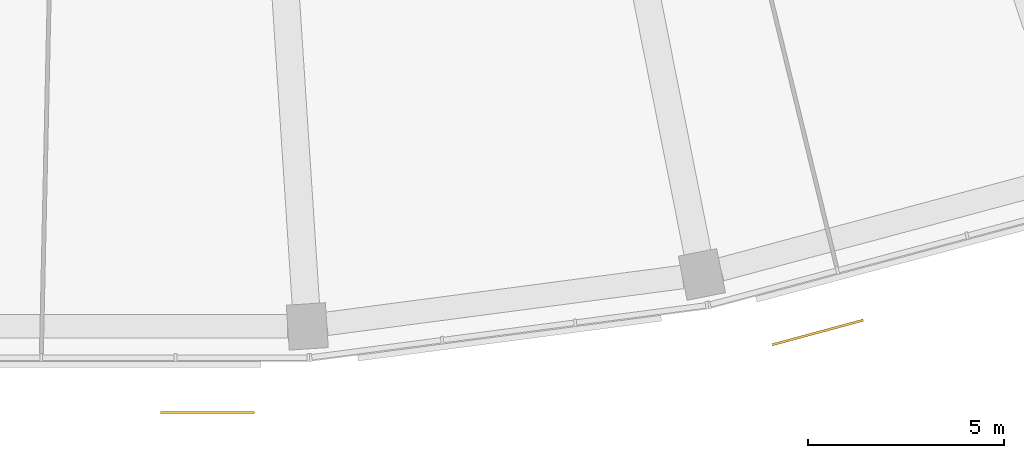
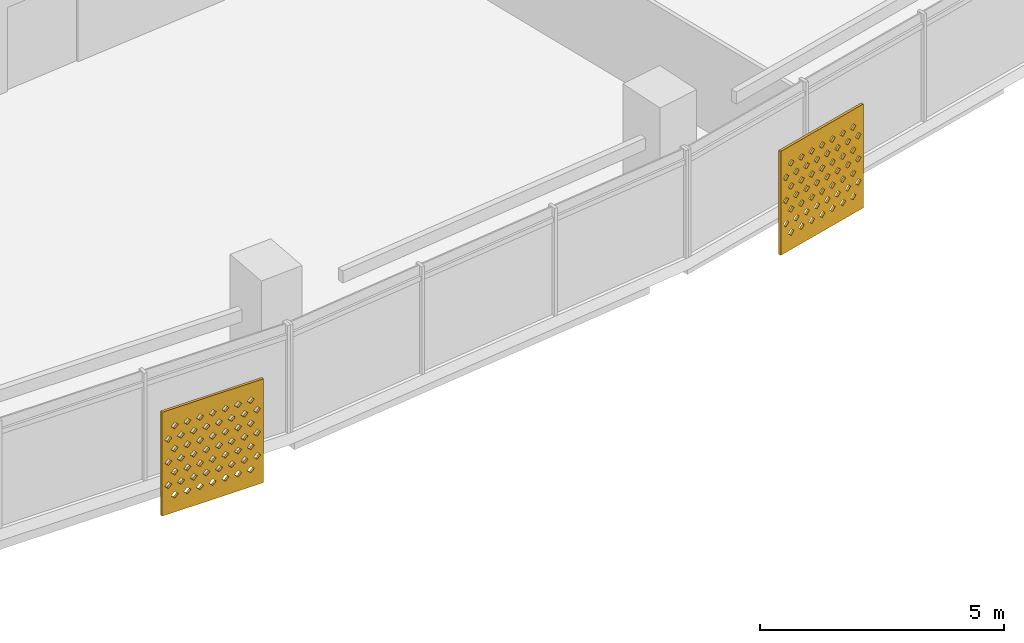
# One storey, part 25 of 27: 2 shading devices.
"""IFC4 building model written with IfcOpenShell, lengths in metres."""

import ifcopenshell
import ifcopenshell.guid

model = None  # the IFC model being written
_history = None  # IfcOwnerHistory: only IFC2X3 demands one
_inside = {}  # id of a spatial element -> (the spatial element, [elements in it])
_under = {}  # id of a project, library or spatial element -> (it, [spatial elements below it])
_declared = {}  # id of a project -> (the project, [libraries it declares])
_typed = {}  # id of a type object -> (the type object, [elements of that type])
_made_of = {}  # id of a material, layer set ... -> (it, [elements and type objects made of it])


def new_model(schema):
    """Start an empty IFC model of exactly this schema.

    Asked for "IFC4X3", IfcOpenShell would pick the latest addendum, in which some entities
    have other attributes; the version numbers below select the first issue.
    IFC2X3 requires an IfcOwnerHistory on every rooted entity: one is made here for all.
    """
    global model, _history
    if schema == "IFC4X3":
        model = ifcopenshell.file(schema_version=(4, 3, 0, 0))
    else:
        model = ifcopenshell.file(schema=schema)
    _inside.clear()
    _under.clear()
    _declared.clear()
    _typed.clear()
    _made_of.clear()
    _history = None
    if model.schema == "IFC2X3":
        org = make("IfcOrganization", Name="unknown")
        user = make(
            "IfcPersonAndOrganization",
            ThePerson=make("IfcPerson", FamilyName="unknown"),
            TheOrganization=org,
        )
        app = make(
            "IfcApplication",
            ApplicationDeveloper=org,
            Version="unknown",
            ApplicationFullName="unknown",
            ApplicationIdentifier="unknown",
        )
        _history = make(
            "IfcOwnerHistory",
            OwningUser=user,
            OwningApplication=app,
            ChangeAction="ADDED",
            CreationDate=0,
        )
    return model


def make(cls, **values):
    """One entity of the class cls with the attributes given. An attribute that is None is left unset."""
    return model.create_entity(
        cls, **{name: value for name, value in values.items() if value is not None}
    )


def rooted(cls, **values):
    """An entity with a GlobalId (a new one), such as an element, a storey or a relation."""
    return make(cls, GlobalId=ifcopenshell.guid.new(), OwnerHistory=_history, **values)


def si_unit(unit_type, name, prefix=None):
    """IfcSIUnit, for example si_unit("LENGTHUNIT", "METRE", prefix="MILLI")."""
    return make("IfcSIUnit", UnitType=unit_type, Prefix=prefix, Name=name)


def assignment(units):
    """IfcUnitAssignment: the units of a project."""
    return None if units is None else make("IfcUnitAssignment", Units=units)


def point(xyz):
    """IfcCartesianPoint."""
    return None if xyz is None else make("IfcCartesianPoint", Coordinates=xyz)


def direction(xyz):
    """IfcDirection."""
    return None if xyz is None else make("IfcDirection", DirectionRatios=xyz)


def frame(location, z_axis=None, x_axis=None):
    """IfcAxis2Placement3D, a coordinate frame: its origin and axes. An axis left out is left unset."""
    return make(
        "IfcAxis2Placement3D",
        Location=point(location),
        Axis=direction(z_axis),
        RefDirection=direction(x_axis),
    )


def origin():
    """The frame at (0, 0, 0) with its axes left unset."""
    return frame((0.0, 0.0, 0.0))


def place(relative_to, where):
    """IfcLocalPlacement: puts the frame where relative to a parent placement (None: the world)."""
    return make(
        "IfcLocalPlacement", PlacementRelTo=relative_to, RelativePlacement=where
    )


def context(
    kind, dimensions, precision=None, world=None, true_north=None, identifier=None
):
    """IfcGeometricRepresentationContext, for example the 3D "Model" context."""
    return make(
        "IfcGeometricRepresentationContext",
        ContextIdentifier=identifier,
        ContextType=kind,
        CoordinateSpaceDimension=dimensions,
        Precision=precision,
        WorldCoordinateSystem=world,
        TrueNorth=true_north,
    )


def subcontext(parent, identifier, kind, view, scale=None):
    """IfcGeometricRepresentationSubContext, for example "Body" below "Model"."""
    return make(
        "IfcGeometricRepresentationSubContext",
        ContextIdentifier=identifier,
        ContextType=kind,
        ParentContext=parent,
        TargetScale=scale,
        TargetView=view,
    )


def project(units=None, contexts=None):
    """IfcProject with its units and contexts."""
    return rooted(
        "IfcProject",
        Name="project",
        RepresentationContexts=contexts,
        UnitsInContext=assignment(units),
    )


def spatial(cls, under=None, at=None, **own):
    """A site, building, storey or space (cls), placed at a placement, below another one or the project."""
    s = rooted(cls, ObjectPlacement=at, **own)
    if under is not None:
        _under.setdefault(under.id(), (under, []))[1].append(s)
    return s


def polyline(points):
    """IfcPolyline through the points."""
    return make("IfcPolyline", Points=[point(p) for p in points])


def outline(outer, holes=None, kind="AREA"):
    """IfcArbitraryClosedProfileDef: a profile drawn as a closed curve; with holes, ...WithVoids."""
    if holes is None:
        return make("IfcArbitraryClosedProfileDef", ProfileType=kind, OuterCurve=outer)
    return make(
        "IfcArbitraryProfileDefWithVoids",
        ProfileType=kind,
        OuterCurve=outer,
        InnerCurves=holes,
    )


def extrude(swept, where, along, depth):
    """IfcExtrudedAreaSolid: the profile swept, set in the frame where, extruded along a direction by depth."""
    return make(
        "IfcExtrudedAreaSolid",
        SweptArea=swept,
        Position=where,
        ExtrudedDirection=direction(along),
        Depth=depth,
    )


def shape(context_of_items, identifier, shape_type, items):
    """IfcShapeRepresentation: the items that make up one representation, for example the "Body"."""
    return make(
        "IfcShapeRepresentation",
        ContextOfItems=context_of_items,
        RepresentationIdentifier=identifier,
        RepresentationType=shape_type,
        Items=items,
    )


def material(Name=None, Category=None):
    """IfcMaterial."""
    return make("IfcMaterial", Name=Name, Category=Category)


def material_profile(
    of_material, cross_section, Name=None, Category=None, Priority=None
):
    """IfcMaterialProfile: a cross section and its material."""
    return make(
        "IfcMaterialProfile",
        Name=Name,
        Material=of_material,
        Profile=cross_section,
        Priority=Priority,
        Category=Category,
    )


def profile_set(profiles, Name=None, composite=None):
    """IfcMaterialProfileSet."""
    return make(
        "IfcMaterialProfileSet",
        Name=Name,
        MaterialProfiles=profiles,
        CompositeProfile=composite,
    )


def made_of(thing, what):
    """Note that an element or type object is made of a material, layer set ...; save() writes the relation."""
    if what is not None:
        _made_of.setdefault(what.id(), (what, []))[1].append(thing)
    return thing


def type_object(cls, material=None, **own):
    """A type object (cls), such as IfcWallType, which elements share."""
    return made_of(rooted(cls, **own), material)


def element(
    cls,
    number,
    at=None,
    inside=None,
    cuts=None,
    type_object=None,
    material=None,
    context=None,
    identifier="Body",
    shape_type=None,
    held_by="IfcProductDefinitionShape",
    body=None,
    shapes=None,
    **own,
):
    """One element of the class cls, such as IfcWall. Its Tag is "e" and its number.

    at: its placement. inside: the storey or other place that contains it. cuts: it is an
    opening in that element (IfcRelVoidsElement). A single representation is given by context,
    identifier, shape_type and body (its items); several are given by shapes. held_by: the class
    of the entity that holds the representations. save() writes the other relations.
    """
    e = rooted(cls, Tag="e%d" % number, ObjectPlacement=at, **own)
    if body is not None:
        shapes = [shape(context, identifier, shape_type, body)]
    if shapes is not None:
        e.Representation = make(held_by, Representations=shapes)
    if inside is not None:
        _inside.setdefault(inside.id(), (inside, []))[1].append(e)
    if cuts is not None:
        rooted(
            "IfcRelVoidsElement", RelatingBuildingElement=cuts, RelatedOpeningElement=e
        )
    if type_object is not None:
        _typed.setdefault(type_object.id(), (type_object, []))[1].append(e)
    return made_of(e, material)


def aggregate(whole, parts):
    """IfcRelAggregates: a whole, such as a stair, and the parts it consists of."""
    return rooted("IfcRelAggregates", RelatingObject=whole, RelatedObjects=parts)


def save(model, path):
    """Write the relations noted so far, then the file.

    IfcRelAggregates (storeys below a building ...), IfcRelContainedInSpatialStructure (elements
    in a storey), IfcRelDefinesByType, IfcRelAssociatesMaterial and IfcRelDeclares: one each for
    every whole, place, type object, material and project.
    """
    for whole, parts in _under.values():
        aggregate(whole, parts)
    for where, things in _inside.values():
        rooted(
            "IfcRelContainedInSpatialStructure",
            RelatedElements=things,
            RelatingStructure=where,
        )
    for kind, things in _typed.values():
        rooted("IfcRelDefinesByType", RelatedObjects=things, RelatingType=kind)
    for what, things in _made_of.values():
        rooted("IfcRelAssociatesMaterial", RelatedObjects=things, RelatingMaterial=what)
    for by, libraries in _declared.values():
        rooted("IfcRelDeclares", RelatingContext=by, RelatedDefinitions=libraries)
    model.write(path)


model = new_model("IFC4")

# Units and contexts
model_context = context("Model", 3, precision=1e-05, world=origin(), true_north=direction((0.0, 1.0)))
body_context = subcontext(model_context, "Body", "Model", "MODEL_VIEW")
ifc_project = project(units=[si_unit("LENGTHUNIT", "METRE"), si_unit("AREAUNIT", "SQUARE_METRE"), si_unit("VOLUMEUNIT", "CUBIC_METRE"), si_unit("PLANEANGLEUNIT", "RADIAN"), si_unit("MASSUNIT", "GRAM", prefix="KILO")], contexts=[model_context])

# Site, building, storey
site_placement = place(None, origin())
site = spatial("IfcSite", under=ifc_project, at=site_placement, CompositionType="ELEMENT")
building_placement = place(site_placement, origin())
building = spatial("IfcBuilding", under=site, at=building_placement, Name="Qamariyya Broadcast Tower", CompositionType="ELEMENT")
storey_placement = place(building_placement, frame((0.0, 0.0, 237.89990234375)))
storey = spatial("IfcBuildingStorey", under=building, at=storey_placement, Name="L57", CompositionType="ELEMENT", Elevation=237.89990234375)

# Shading devices
ifc_material = material(Name="Perforated glazed terracotta", Category="masonry")
ifc_material_profile = material_profile(ifc_material, outline(polyline([(-1.199951171875, -1.300048828125), (1.199951171875, -1.300048828125), (1.199951171875, 1.300048828125), (-1.199951171875, 1.300048828125), (-1.199951171875, -1.300048828125)]), holes=[polyline([(-0.81494140625, -0.86669921875), (-0.89990234375, -0.78173828125), (-0.985107421875, -0.86669921875), (-0.89990234375, -0.95166015625), (-0.81494140625, -0.86669921875)]), polyline([(-0.514892578125, -0.86669921875), (-0.60009765625, -0.78173828125), (-0.68505859375, -0.86669921875), (-0.60009765625, -0.95166015625), (-0.514892578125, -0.86669921875)]), polyline([(-0.215087890625, -0.86669921875), (-0.300048828125, -0.78173828125), (-0.385009765625, -0.86669921875), (-0.300048828125, -0.95166015625), (-0.215087890625, -0.86669921875)]), polyline([(0.0849609375, -0.86669921875), (0.0, -0.78173828125), (-0.0849609375, -0.86669921875), (0.0, -0.95166015625), (0.0849609375, -0.86669921875)]), polyline([(0.385009765625, -0.86669921875), (0.300048828125, -0.78173828125), (0.215087890625, -0.86669921875), (0.300048828125, -0.95166015625), (0.385009765625, -0.86669921875)]), polyline([(0.68505859375, -0.86669921875), (0.60009765625, -0.78173828125), (0.514892578125, -0.86669921875), (0.60009765625, -0.95166015625), (0.68505859375, -0.86669921875)]), polyline([(0.985107421875, -0.86669921875), (0.89990234375, -0.78173828125), (0.81494140625, -0.86669921875), (0.89990234375, -0.95166015625), (0.985107421875, -0.86669921875)]), polyline([(-0.965087890625, -0.577880859375), (-1.050048828125, -0.49267578125), (-1.135009765625, -0.577880859375), (-1.050048828125, -0.662841796875), (-0.965087890625, -0.577880859375)]), polyline([(-0.6650390625, -0.577880859375), (-0.75, -0.49267578125), (-0.8349609375, -0.577880859375), (-0.75, -0.662841796875), (-0.6650390625, -0.577880859375)]), polyline([(-0.364990234375, -0.577880859375), (-0.449951171875, -0.49267578125), (-0.534912109375, -0.577880859375), (-0.449951171875, -0.662841796875), (-0.364990234375, -0.577880859375)]), polyline([(-0.06494140625, -0.577880859375), (-0.14990234375, -0.49267578125), (-0.235107421875, -0.577880859375), (-0.14990234375, -0.662841796875), (-0.06494140625, -0.577880859375)]), polyline([(0.235107421875, -0.577880859375), (0.14990234375, -0.49267578125), (0.06494140625, -0.577880859375), (0.14990234375, -0.662841796875), (0.235107421875, -0.577880859375)]), polyline([(0.534912109375, -0.577880859375), (0.449951171875, -0.49267578125), (0.364990234375, -0.577880859375), (0.449951171875, -0.662841796875), (0.534912109375, -0.577880859375)]), polyline([(0.8349609375, -0.577880859375), (0.75, -0.49267578125), (0.6650390625, -0.577880859375), (0.75, -0.662841796875), (0.8349609375, -0.577880859375)]), polyline([(1.135009765625, -0.577880859375), (1.050048828125, -0.49267578125), (0.965087890625, -0.577880859375), (1.050048828125, -0.662841796875), (1.135009765625, -0.577880859375)]), polyline([(-0.81494140625, -0.288818359375), (-0.89990234375, -0.203857421875), (-0.985107421875, -0.288818359375), (-0.89990234375, -0.373779296875), (-0.81494140625, -0.288818359375)]), polyline([(-0.514892578125, -0.288818359375), (-0.60009765625, -0.203857421875), (-0.68505859375, -0.288818359375), (-0.60009765625, -0.373779296875), (-0.514892578125, -0.288818359375)]), polyline([(-0.215087890625, -0.288818359375), (-0.300048828125, -0.203857421875), (-0.385009765625, -0.288818359375), (-0.300048828125, -0.373779296875), (-0.215087890625, -0.288818359375)]), polyline([(0.0849609375, -0.288818359375), (0.0, -0.203857421875), (-0.0849609375, -0.288818359375), (0.0, -0.373779296875), (0.0849609375, -0.288818359375)]), polyline([(0.385009765625, -0.288818359375), (0.300048828125, -0.203857421875), (0.215087890625, -0.288818359375), (0.300048828125, -0.373779296875), (0.385009765625, -0.288818359375)]), polyline([(0.68505859375, -0.288818359375), (0.60009765625, -0.203857421875), (0.514892578125, -0.288818359375), (0.60009765625, -0.373779296875), (0.68505859375, -0.288818359375)]), polyline([(0.985107421875, -0.288818359375), (0.89990234375, -0.203857421875), (0.81494140625, -0.288818359375), (0.89990234375, -0.373779296875), (0.985107421875, -0.288818359375)]), polyline([(-0.965087890625, 0.0), (-1.050048828125, 0.0849609375), (-1.135009765625, 0.0), (-1.050048828125, -0.0849609375), (-0.965087890625, 0.0)]), polyline([(-0.6650390625, 0.0), (-0.75, 0.0849609375), (-0.8349609375, 0.0), (-0.75, -0.0849609375), (-0.6650390625, 0.0)]), polyline([(-0.364990234375, 0.0), (-0.449951171875, 0.0849609375), (-0.534912109375, 0.0), (-0.449951171875, -0.0849609375), (-0.364990234375, 0.0)]), polyline([(-0.06494140625, 0.0), (-0.14990234375, 0.0849609375), (-0.235107421875, 0.0), (-0.14990234375, -0.0849609375), (-0.06494140625, 0.0)]), polyline([(0.235107421875, 0.0), (0.14990234375, 0.0849609375), (0.06494140625, 0.0), (0.14990234375, -0.0849609375), (0.235107421875, 0.0)]), polyline([(0.534912109375, 0.0), (0.449951171875, 0.0849609375), (0.364990234375, 0.0), (0.449951171875, -0.0849609375), (0.534912109375, 0.0)]), polyline([(0.8349609375, 0.0), (0.75, 0.0849609375), (0.6650390625, 0.0), (0.75, -0.0849609375), (0.8349609375, 0.0)]), polyline([(1.135009765625, 0.0), (1.050048828125, 0.0849609375), (0.965087890625, 0.0), (1.050048828125, -0.0849609375), (1.135009765625, 0.0)]), polyline([(-0.81494140625, 0.288818359375), (-0.89990234375, 0.373779296875), (-0.985107421875, 0.288818359375), (-0.89990234375, 0.203857421875), (-0.81494140625, 0.288818359375)]), polyline([(-0.514892578125, 0.288818359375), (-0.60009765625, 0.373779296875), (-0.68505859375, 0.288818359375), (-0.60009765625, 0.203857421875), (-0.514892578125, 0.288818359375)]), polyline([(-0.215087890625, 0.288818359375), (-0.300048828125, 0.373779296875), (-0.385009765625, 0.288818359375), (-0.300048828125, 0.203857421875), (-0.215087890625, 0.288818359375)]), polyline([(0.0849609375, 0.288818359375), (0.0, 0.373779296875), (-0.0849609375, 0.288818359375), (0.0, 0.203857421875), (0.0849609375, 0.288818359375)]), polyline([(0.385009765625, 0.288818359375), (0.300048828125, 0.373779296875), (0.215087890625, 0.288818359375), (0.300048828125, 0.203857421875), (0.385009765625, 0.288818359375)]), polyline([(0.68505859375, 0.288818359375), (0.60009765625, 0.373779296875), (0.514892578125, 0.288818359375), (0.60009765625, 0.203857421875), (0.68505859375, 0.288818359375)]), polyline([(0.985107421875, 0.288818359375), (0.89990234375, 0.373779296875), (0.81494140625, 0.288818359375), (0.89990234375, 0.203857421875), (0.985107421875, 0.288818359375)]), polyline([(-0.965087890625, 0.577880859375), (-1.050048828125, 0.662841796875), (-1.135009765625, 0.577880859375), (-1.050048828125, 0.49267578125), (-0.965087890625, 0.577880859375)]), polyline([(-0.6650390625, 0.577880859375), (-0.75, 0.662841796875), (-0.8349609375, 0.577880859375), (-0.75, 0.49267578125), (-0.6650390625, 0.577880859375)]), polyline([(-0.364990234375, 0.577880859375), (-0.449951171875, 0.662841796875), (-0.534912109375, 0.577880859375), (-0.449951171875, 0.49267578125), (-0.364990234375, 0.577880859375)]), polyline([(-0.06494140625, 0.577880859375), (-0.14990234375, 0.662841796875), (-0.235107421875, 0.577880859375), (-0.14990234375, 0.49267578125), (-0.06494140625, 0.577880859375)]), polyline([(0.235107421875, 0.577880859375), (0.14990234375, 0.662841796875), (0.06494140625, 0.577880859375), (0.14990234375, 0.49267578125), (0.235107421875, 0.577880859375)]), polyline([(0.534912109375, 0.577880859375), (0.449951171875, 0.662841796875), (0.364990234375, 0.577880859375), (0.449951171875, 0.49267578125), (0.534912109375, 0.577880859375)]), polyline([(0.8349609375, 0.577880859375), (0.75, 0.662841796875), (0.6650390625, 0.577880859375), (0.75, 0.49267578125), (0.8349609375, 0.577880859375)]), polyline([(1.135009765625, 0.577880859375), (1.050048828125, 0.662841796875), (0.965087890625, 0.577880859375), (1.050048828125, 0.49267578125), (1.135009765625, 0.577880859375)]), polyline([(-0.81494140625, 0.86669921875), (-0.89990234375, 0.95166015625), (-0.985107421875, 0.86669921875), (-0.89990234375, 0.78173828125), (-0.81494140625, 0.86669921875)]), polyline([(-0.514892578125, 0.86669921875), (-0.60009765625, 0.95166015625), (-0.68505859375, 0.86669921875), (-0.60009765625, 0.78173828125), (-0.514892578125, 0.86669921875)]), polyline([(-0.215087890625, 0.86669921875), (-0.300048828125, 0.95166015625), (-0.385009765625, 0.86669921875), (-0.300048828125, 0.78173828125), (-0.215087890625, 0.86669921875)]), polyline([(0.0849609375, 0.86669921875), (0.0, 0.95166015625), (-0.0849609375, 0.86669921875), (0.0, 0.78173828125), (0.0849609375, 0.86669921875)]), polyline([(0.385009765625, 0.86669921875), (0.300048828125, 0.95166015625), (0.215087890625, 0.86669921875), (0.300048828125, 0.78173828125), (0.385009765625, 0.86669921875)]), polyline([(0.68505859375, 0.86669921875), (0.60009765625, 0.95166015625), (0.514892578125, 0.86669921875), (0.60009765625, 0.78173828125), (0.68505859375, 0.86669921875)]), polyline([(0.985107421875, 0.86669921875), (0.89990234375, 0.95166015625), (0.81494140625, 0.86669921875), (0.89990234375, 0.78173828125), (0.985107421875, 0.86669921875)])]))
ifc_profile_set = profile_set([ifc_material_profile], Name="Perforated glazed terracotta")
shading_device_type = type_object("IfcShadingDeviceType", Name="Perforated terracotta screen 2400 x 2600", PredefinedType="USERDEFINED", material=ifc_profile_set)
shading_device_1_placement = place(storey_placement, frame((2.535888671875, -79.751708984375, 1.35009765625), z_axis=(0.0, -1.0, 0.0), x_axis=(1.0, 0.0, 0.0)))
element("IfcShadingDevice", 1, at=shading_device_1_placement, inside=storey, type_object=shading_device_type, Name="e-scr-L57-08-2", ObjectType="SCREEN", PredefinedType="USERDEFINED", context=body_context, shape_type="SweptSolid", body=[
    extrude(outline(polyline([(-1.199951171875, -1.300048828125), (1.199951171875, -1.300048828125), (1.199951171875, 1.300048828125), (-1.199951171875, 1.300048828125), (-1.199951171875, -1.300048828125)]), holes=[polyline([(-0.81494140625, -0.86669921875), (-0.89990234375, -0.78173828125), (-0.985107421875, -0.86669921875), (-0.89990234375, -0.95166015625), (-0.81494140625, -0.86669921875)]), polyline([(-0.514892578125, -0.86669921875), (-0.60009765625, -0.78173828125), (-0.68505859375, -0.86669921875), (-0.60009765625, -0.95166015625), (-0.514892578125, -0.86669921875)]), polyline([(-0.215087890625, -0.86669921875), (-0.300048828125, -0.78173828125), (-0.385009765625, -0.86669921875), (-0.300048828125, -0.95166015625), (-0.215087890625, -0.86669921875)]), polyline([(0.0849609375, -0.86669921875), (0.0, -0.78173828125), (-0.0849609375, -0.86669921875), (0.0, -0.95166015625), (0.0849609375, -0.86669921875)]), polyline([(0.385009765625, -0.86669921875), (0.300048828125, -0.78173828125), (0.215087890625, -0.86669921875), (0.300048828125, -0.95166015625), (0.385009765625, -0.86669921875)]), polyline([(0.68505859375, -0.86669921875), (0.60009765625, -0.78173828125), (0.514892578125, -0.86669921875), (0.60009765625, -0.95166015625), (0.68505859375, -0.86669921875)]), polyline([(0.985107421875, -0.86669921875), (0.89990234375, -0.78173828125), (0.81494140625, -0.86669921875), (0.89990234375, -0.95166015625), (0.985107421875, -0.86669921875)]), polyline([(-0.965087890625, -0.577880859375), (-1.050048828125, -0.49267578125), (-1.135009765625, -0.577880859375), (-1.050048828125, -0.662841796875), (-0.965087890625, -0.577880859375)]), polyline([(-0.6650390625, -0.577880859375), (-0.75, -0.49267578125), (-0.8349609375, -0.577880859375), (-0.75, -0.662841796875), (-0.6650390625, -0.577880859375)]), polyline([(-0.364990234375, -0.577880859375), (-0.449951171875, -0.49267578125), (-0.534912109375, -0.577880859375), (-0.449951171875, -0.662841796875), (-0.364990234375, -0.577880859375)]), polyline([(-0.06494140625, -0.577880859375), (-0.14990234375, -0.49267578125), (-0.235107421875, -0.577880859375), (-0.14990234375, -0.662841796875), (-0.06494140625, -0.577880859375)]), polyline([(0.235107421875, -0.577880859375), (0.14990234375, -0.49267578125), (0.06494140625, -0.577880859375), (0.14990234375, -0.662841796875), (0.235107421875, -0.577880859375)]), polyline([(0.534912109375, -0.577880859375), (0.449951171875, -0.49267578125), (0.364990234375, -0.577880859375), (0.449951171875, -0.662841796875), (0.534912109375, -0.577880859375)]), polyline([(0.8349609375, -0.577880859375), (0.75, -0.49267578125), (0.6650390625, -0.577880859375), (0.75, -0.662841796875), (0.8349609375, -0.577880859375)]), polyline([(1.135009765625, -0.577880859375), (1.050048828125, -0.49267578125), (0.965087890625, -0.577880859375), (1.050048828125, -0.662841796875), (1.135009765625, -0.577880859375)]), polyline([(-0.81494140625, -0.288818359375), (-0.89990234375, -0.203857421875), (-0.985107421875, -0.288818359375), (-0.89990234375, -0.373779296875), (-0.81494140625, -0.288818359375)]), polyline([(-0.514892578125, -0.288818359375), (-0.60009765625, -0.203857421875), (-0.68505859375, -0.288818359375), (-0.60009765625, -0.373779296875), (-0.514892578125, -0.288818359375)]), polyline([(-0.215087890625, -0.288818359375), (-0.300048828125, -0.203857421875), (-0.385009765625, -0.288818359375), (-0.300048828125, -0.373779296875), (-0.215087890625, -0.288818359375)]), polyline([(0.0849609375, -0.288818359375), (0.0, -0.203857421875), (-0.0849609375, -0.288818359375), (0.0, -0.373779296875), (0.0849609375, -0.288818359375)]), polyline([(0.385009765625, -0.288818359375), (0.300048828125, -0.203857421875), (0.215087890625, -0.288818359375), (0.300048828125, -0.373779296875), (0.385009765625, -0.288818359375)]), polyline([(0.68505859375, -0.288818359375), (0.60009765625, -0.203857421875), (0.514892578125, -0.288818359375), (0.60009765625, -0.373779296875), (0.68505859375, -0.288818359375)]), polyline([(0.985107421875, -0.288818359375), (0.89990234375, -0.203857421875), (0.81494140625, -0.288818359375), (0.89990234375, -0.373779296875), (0.985107421875, -0.288818359375)]), polyline([(-0.965087890625, 0.0), (-1.050048828125, 0.0849609375), (-1.135009765625, 0.0), (-1.050048828125, -0.0849609375), (-0.965087890625, 0.0)]), polyline([(-0.6650390625, 0.0), (-0.75, 0.0849609375), (-0.8349609375, 0.0), (-0.75, -0.0849609375), (-0.6650390625, 0.0)]), polyline([(-0.364990234375, 0.0), (-0.449951171875, 0.0849609375), (-0.534912109375, 0.0), (-0.449951171875, -0.0849609375), (-0.364990234375, 0.0)]), polyline([(-0.06494140625, 0.0), (-0.14990234375, 0.0849609375), (-0.235107421875, 0.0), (-0.14990234375, -0.0849609375), (-0.06494140625, 0.0)]), polyline([(0.235107421875, 0.0), (0.14990234375, 0.0849609375), (0.06494140625, 0.0), (0.14990234375, -0.0849609375), (0.235107421875, 0.0)]), polyline([(0.534912109375, 0.0), (0.449951171875, 0.0849609375), (0.364990234375, 0.0), (0.449951171875, -0.0849609375), (0.534912109375, 0.0)]), polyline([(0.8349609375, 0.0), (0.75, 0.0849609375), (0.6650390625, 0.0), (0.75, -0.0849609375), (0.8349609375, 0.0)]), polyline([(1.135009765625, 0.0), (1.050048828125, 0.0849609375), (0.965087890625, 0.0), (1.050048828125, -0.0849609375), (1.135009765625, 0.0)]), polyline([(-0.81494140625, 0.288818359375), (-0.89990234375, 0.373779296875), (-0.985107421875, 0.288818359375), (-0.89990234375, 0.203857421875), (-0.81494140625, 0.288818359375)]), polyline([(-0.514892578125, 0.288818359375), (-0.60009765625, 0.373779296875), (-0.68505859375, 0.288818359375), (-0.60009765625, 0.203857421875), (-0.514892578125, 0.288818359375)]), polyline([(-0.215087890625, 0.288818359375), (-0.300048828125, 0.373779296875), (-0.385009765625, 0.288818359375), (-0.300048828125, 0.203857421875), (-0.215087890625, 0.288818359375)]), polyline([(0.0849609375, 0.288818359375), (0.0, 0.373779296875), (-0.0849609375, 0.288818359375), (0.0, 0.203857421875), (0.0849609375, 0.288818359375)]), polyline([(0.385009765625, 0.288818359375), (0.300048828125, 0.373779296875), (0.215087890625, 0.288818359375), (0.300048828125, 0.203857421875), (0.385009765625, 0.288818359375)]), polyline([(0.68505859375, 0.288818359375), (0.60009765625, 0.373779296875), (0.514892578125, 0.288818359375), (0.60009765625, 0.203857421875), (0.68505859375, 0.288818359375)]), polyline([(0.985107421875, 0.288818359375), (0.89990234375, 0.373779296875), (0.81494140625, 0.288818359375), (0.89990234375, 0.203857421875), (0.985107421875, 0.288818359375)]), polyline([(-0.965087890625, 0.577880859375), (-1.050048828125, 0.662841796875), (-1.135009765625, 0.577880859375), (-1.050048828125, 0.49267578125), (-0.965087890625, 0.577880859375)]), polyline([(-0.6650390625, 0.577880859375), (-0.75, 0.662841796875), (-0.8349609375, 0.577880859375), (-0.75, 0.49267578125), (-0.6650390625, 0.577880859375)]), polyline([(-0.364990234375, 0.577880859375), (-0.449951171875, 0.662841796875), (-0.534912109375, 0.577880859375), (-0.449951171875, 0.49267578125), (-0.364990234375, 0.577880859375)]), polyline([(-0.06494140625, 0.577880859375), (-0.14990234375, 0.662841796875), (-0.235107421875, 0.577880859375), (-0.14990234375, 0.49267578125), (-0.06494140625, 0.577880859375)]), polyline([(0.235107421875, 0.577880859375), (0.14990234375, 0.662841796875), (0.06494140625, 0.577880859375), (0.14990234375, 0.49267578125), (0.235107421875, 0.577880859375)]), polyline([(0.534912109375, 0.577880859375), (0.449951171875, 0.662841796875), (0.364990234375, 0.577880859375), (0.449951171875, 0.49267578125), (0.534912109375, 0.577880859375)]), polyline([(0.8349609375, 0.577880859375), (0.75, 0.662841796875), (0.6650390625, 0.577880859375), (0.75, 0.49267578125), (0.8349609375, 0.577880859375)]), polyline([(1.135009765625, 0.577880859375), (1.050048828125, 0.662841796875), (0.965087890625, 0.577880859375), (1.050048828125, 0.49267578125), (1.135009765625, 0.577880859375)]), polyline([(-0.81494140625, 0.86669921875), (-0.89990234375, 0.95166015625), (-0.985107421875, 0.86669921875), (-0.89990234375, 0.78173828125), (-0.81494140625, 0.86669921875)]), polyline([(-0.514892578125, 0.86669921875), (-0.60009765625, 0.95166015625), (-0.68505859375, 0.86669921875), (-0.60009765625, 0.78173828125), (-0.514892578125, 0.86669921875)]), polyline([(-0.215087890625, 0.86669921875), (-0.300048828125, 0.95166015625), (-0.385009765625, 0.86669921875), (-0.300048828125, 0.78173828125), (-0.215087890625, 0.86669921875)]), polyline([(0.0849609375, 0.86669921875), (0.0, 0.95166015625), (-0.0849609375, 0.86669921875), (0.0, 0.78173828125), (0.0849609375, 0.86669921875)]), polyline([(0.385009765625, 0.86669921875), (0.300048828125, 0.95166015625), (0.215087890625, 0.86669921875), (0.300048828125, 0.78173828125), (0.385009765625, 0.86669921875)]), polyline([(0.68505859375, 0.86669921875), (0.60009765625, 0.95166015625), (0.514892578125, 0.86669921875), (0.60009765625, 0.78173828125), (0.68505859375, 0.86669921875)]), polyline([(0.985107421875, 0.86669921875), (0.89990234375, 0.95166015625), (0.81494140625, 0.86669921875), (0.89990234375, 0.78173828125), (0.985107421875, 0.86669921875)])]), origin(), (0.0, 0.0, 1.0), 0.059814453125),
])
shading_device_2_placement = place(storey_placement, frame((18.1220703125, -77.709228515625, 1.35009765625), z_axis=(0.260703819255, -0.965418830677, 0.0), x_axis=(0.965418830677, 0.260703819255, 0.0)))
element("IfcShadingDevice", 2, at=shading_device_2_placement, inside=storey, type_object=shading_device_type, Name="e-scr-L57-10-0", ObjectType="SCREEN", PredefinedType="USERDEFINED", context=body_context, shape_type="SweptSolid", body=[
    extrude(outline(polyline([(-1.199951171875, -1.300048828125), (1.199951171875, -1.300048828125), (1.199951171875, 1.300048828125), (-1.199951171875, 1.300048828125), (-1.199951171875, -1.300048828125)]), holes=[polyline([(-0.81494140625, -0.86669921875), (-0.89990234375, -0.78173828125), (-0.985107421875, -0.86669921875), (-0.89990234375, -0.95166015625), (-0.81494140625, -0.86669921875)]), polyline([(-0.514892578125, -0.86669921875), (-0.60009765625, -0.78173828125), (-0.68505859375, -0.86669921875), (-0.60009765625, -0.95166015625), (-0.514892578125, -0.86669921875)]), polyline([(-0.215087890625, -0.86669921875), (-0.300048828125, -0.78173828125), (-0.385009765625, -0.86669921875), (-0.300048828125, -0.95166015625), (-0.215087890625, -0.86669921875)]), polyline([(0.0849609375, -0.86669921875), (0.0, -0.78173828125), (-0.0849609375, -0.86669921875), (0.0, -0.95166015625), (0.0849609375, -0.86669921875)]), polyline([(0.385009765625, -0.86669921875), (0.300048828125, -0.78173828125), (0.215087890625, -0.86669921875), (0.300048828125, -0.95166015625), (0.385009765625, -0.86669921875)]), polyline([(0.68505859375, -0.86669921875), (0.60009765625, -0.78173828125), (0.514892578125, -0.86669921875), (0.60009765625, -0.95166015625), (0.68505859375, -0.86669921875)]), polyline([(0.985107421875, -0.86669921875), (0.89990234375, -0.78173828125), (0.81494140625, -0.86669921875), (0.89990234375, -0.95166015625), (0.985107421875, -0.86669921875)]), polyline([(-0.965087890625, -0.577880859375), (-1.050048828125, -0.49267578125), (-1.135009765625, -0.577880859375), (-1.050048828125, -0.662841796875), (-0.965087890625, -0.577880859375)]), polyline([(-0.6650390625, -0.577880859375), (-0.75, -0.49267578125), (-0.8349609375, -0.577880859375), (-0.75, -0.662841796875), (-0.6650390625, -0.577880859375)]), polyline([(-0.364990234375, -0.577880859375), (-0.449951171875, -0.49267578125), (-0.534912109375, -0.577880859375), (-0.449951171875, -0.662841796875), (-0.364990234375, -0.577880859375)]), polyline([(-0.06494140625, -0.577880859375), (-0.14990234375, -0.49267578125), (-0.235107421875, -0.577880859375), (-0.14990234375, -0.662841796875), (-0.06494140625, -0.577880859375)]), polyline([(0.235107421875, -0.577880859375), (0.14990234375, -0.49267578125), (0.06494140625, -0.577880859375), (0.14990234375, -0.662841796875), (0.235107421875, -0.577880859375)]), polyline([(0.534912109375, -0.577880859375), (0.449951171875, -0.49267578125), (0.364990234375, -0.577880859375), (0.449951171875, -0.662841796875), (0.534912109375, -0.577880859375)]), polyline([(0.8349609375, -0.577880859375), (0.75, -0.49267578125), (0.6650390625, -0.577880859375), (0.75, -0.662841796875), (0.8349609375, -0.577880859375)]), polyline([(1.135009765625, -0.577880859375), (1.050048828125, -0.49267578125), (0.965087890625, -0.577880859375), (1.050048828125, -0.662841796875), (1.135009765625, -0.577880859375)]), polyline([(-0.81494140625, -0.288818359375), (-0.89990234375, -0.203857421875), (-0.985107421875, -0.288818359375), (-0.89990234375, -0.373779296875), (-0.81494140625, -0.288818359375)]), polyline([(-0.514892578125, -0.288818359375), (-0.60009765625, -0.203857421875), (-0.68505859375, -0.288818359375), (-0.60009765625, -0.373779296875), (-0.514892578125, -0.288818359375)]), polyline([(-0.215087890625, -0.288818359375), (-0.300048828125, -0.203857421875), (-0.385009765625, -0.288818359375), (-0.300048828125, -0.373779296875), (-0.215087890625, -0.288818359375)]), polyline([(0.0849609375, -0.288818359375), (0.0, -0.203857421875), (-0.0849609375, -0.288818359375), (0.0, -0.373779296875), (0.0849609375, -0.288818359375)]), polyline([(0.385009765625, -0.288818359375), (0.300048828125, -0.203857421875), (0.215087890625, -0.288818359375), (0.300048828125, -0.373779296875), (0.385009765625, -0.288818359375)]), polyline([(0.68505859375, -0.288818359375), (0.60009765625, -0.203857421875), (0.514892578125, -0.288818359375), (0.60009765625, -0.373779296875), (0.68505859375, -0.288818359375)]), polyline([(0.985107421875, -0.288818359375), (0.89990234375, -0.203857421875), (0.81494140625, -0.288818359375), (0.89990234375, -0.373779296875), (0.985107421875, -0.288818359375)]), polyline([(-0.965087890625, 0.0), (-1.050048828125, 0.0849609375), (-1.135009765625, 0.0), (-1.050048828125, -0.0849609375), (-0.965087890625, 0.0)]), polyline([(-0.6650390625, 0.0), (-0.75, 0.0849609375), (-0.8349609375, 0.0), (-0.75, -0.0849609375), (-0.6650390625, 0.0)]), polyline([(-0.364990234375, 0.0), (-0.449951171875, 0.0849609375), (-0.534912109375, 0.0), (-0.449951171875, -0.0849609375), (-0.364990234375, 0.0)]), polyline([(-0.06494140625, 0.0), (-0.14990234375, 0.0849609375), (-0.235107421875, 0.0), (-0.14990234375, -0.0849609375), (-0.06494140625, 0.0)]), polyline([(0.235107421875, 0.0), (0.14990234375, 0.0849609375), (0.06494140625, 0.0), (0.14990234375, -0.0849609375), (0.235107421875, 0.0)]), polyline([(0.534912109375, 0.0), (0.449951171875, 0.0849609375), (0.364990234375, 0.0), (0.449951171875, -0.0849609375), (0.534912109375, 0.0)]), polyline([(0.8349609375, 0.0), (0.75, 0.0849609375), (0.6650390625, 0.0), (0.75, -0.0849609375), (0.8349609375, 0.0)]), polyline([(1.135009765625, 0.0), (1.050048828125, 0.0849609375), (0.965087890625, 0.0), (1.050048828125, -0.0849609375), (1.135009765625, 0.0)]), polyline([(-0.81494140625, 0.288818359375), (-0.89990234375, 0.373779296875), (-0.985107421875, 0.288818359375), (-0.89990234375, 0.203857421875), (-0.81494140625, 0.288818359375)]), polyline([(-0.514892578125, 0.288818359375), (-0.60009765625, 0.373779296875), (-0.68505859375, 0.288818359375), (-0.60009765625, 0.203857421875), (-0.514892578125, 0.288818359375)]), polyline([(-0.215087890625, 0.288818359375), (-0.300048828125, 0.373779296875), (-0.385009765625, 0.288818359375), (-0.300048828125, 0.203857421875), (-0.215087890625, 0.288818359375)]), polyline([(0.0849609375, 0.288818359375), (0.0, 0.373779296875), (-0.0849609375, 0.288818359375), (0.0, 0.203857421875), (0.0849609375, 0.288818359375)]), polyline([(0.385009765625, 0.288818359375), (0.300048828125, 0.373779296875), (0.215087890625, 0.288818359375), (0.300048828125, 0.203857421875), (0.385009765625, 0.288818359375)]), polyline([(0.68505859375, 0.288818359375), (0.60009765625, 0.373779296875), (0.514892578125, 0.288818359375), (0.60009765625, 0.203857421875), (0.68505859375, 0.288818359375)]), polyline([(0.985107421875, 0.288818359375), (0.89990234375, 0.373779296875), (0.81494140625, 0.288818359375), (0.89990234375, 0.203857421875), (0.985107421875, 0.288818359375)]), polyline([(-0.965087890625, 0.577880859375), (-1.050048828125, 0.662841796875), (-1.135009765625, 0.577880859375), (-1.050048828125, 0.49267578125), (-0.965087890625, 0.577880859375)]), polyline([(-0.6650390625, 0.577880859375), (-0.75, 0.662841796875), (-0.8349609375, 0.577880859375), (-0.75, 0.49267578125), (-0.6650390625, 0.577880859375)]), polyline([(-0.364990234375, 0.577880859375), (-0.449951171875, 0.662841796875), (-0.534912109375, 0.577880859375), (-0.449951171875, 0.49267578125), (-0.364990234375, 0.577880859375)]), polyline([(-0.06494140625, 0.577880859375), (-0.14990234375, 0.662841796875), (-0.235107421875, 0.577880859375), (-0.14990234375, 0.49267578125), (-0.06494140625, 0.577880859375)]), polyline([(0.235107421875, 0.577880859375), (0.14990234375, 0.662841796875), (0.06494140625, 0.577880859375), (0.14990234375, 0.49267578125), (0.235107421875, 0.577880859375)]), polyline([(0.534912109375, 0.577880859375), (0.449951171875, 0.662841796875), (0.364990234375, 0.577880859375), (0.449951171875, 0.49267578125), (0.534912109375, 0.577880859375)]), polyline([(0.8349609375, 0.577880859375), (0.75, 0.662841796875), (0.6650390625, 0.577880859375), (0.75, 0.49267578125), (0.8349609375, 0.577880859375)]), polyline([(1.135009765625, 0.577880859375), (1.050048828125, 0.662841796875), (0.965087890625, 0.577880859375), (1.050048828125, 0.49267578125), (1.135009765625, 0.577880859375)]), polyline([(-0.81494140625, 0.86669921875), (-0.89990234375, 0.95166015625), (-0.985107421875, 0.86669921875), (-0.89990234375, 0.78173828125), (-0.81494140625, 0.86669921875)]), polyline([(-0.514892578125, 0.86669921875), (-0.60009765625, 0.95166015625), (-0.68505859375, 0.86669921875), (-0.60009765625, 0.78173828125), (-0.514892578125, 0.86669921875)]), polyline([(-0.215087890625, 0.86669921875), (-0.300048828125, 0.95166015625), (-0.385009765625, 0.86669921875), (-0.300048828125, 0.78173828125), (-0.215087890625, 0.86669921875)]), polyline([(0.0849609375, 0.86669921875), (0.0, 0.95166015625), (-0.0849609375, 0.86669921875), (0.0, 0.78173828125), (0.0849609375, 0.86669921875)]), polyline([(0.385009765625, 0.86669921875), (0.300048828125, 0.95166015625), (0.215087890625, 0.86669921875), (0.300048828125, 0.78173828125), (0.385009765625, 0.86669921875)]), polyline([(0.68505859375, 0.86669921875), (0.60009765625, 0.95166015625), (0.514892578125, 0.86669921875), (0.60009765625, 0.78173828125), (0.68505859375, 0.86669921875)]), polyline([(0.985107421875, 0.86669921875), (0.89990234375, 0.95166015625), (0.81494140625, 0.86669921875), (0.89990234375, 0.78173828125), (0.985107421875, 0.86669921875)])]), origin(), (0.0, 0.0, 1.0), 0.059814453125),
])

save(model, "model.ifc")
